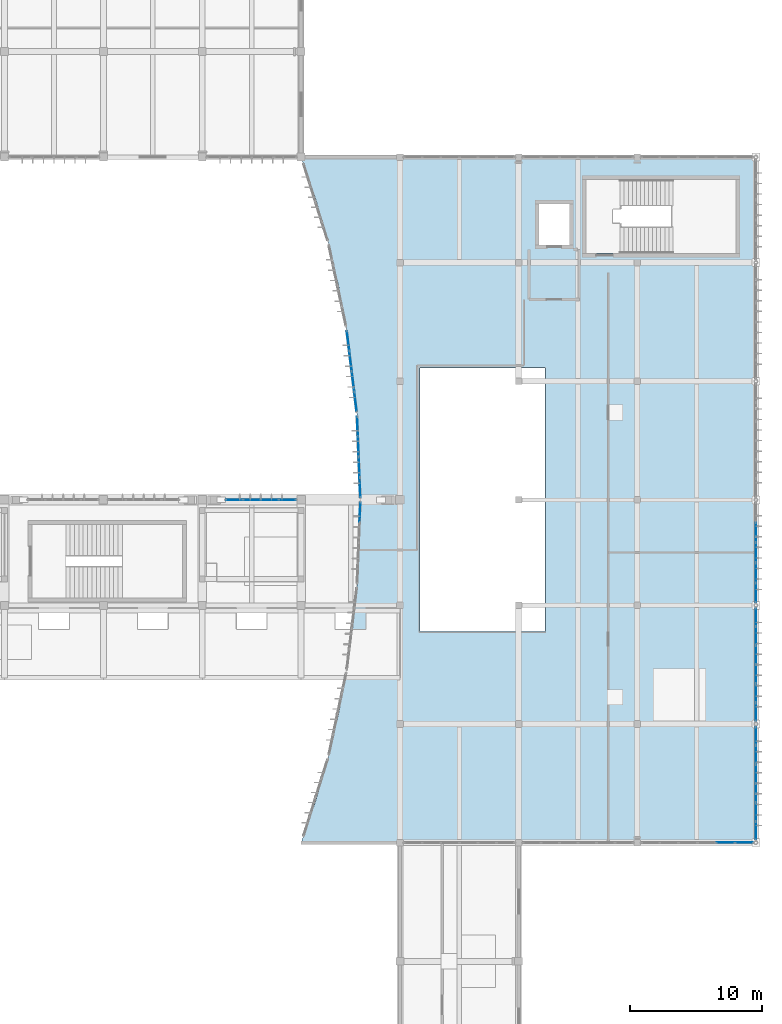
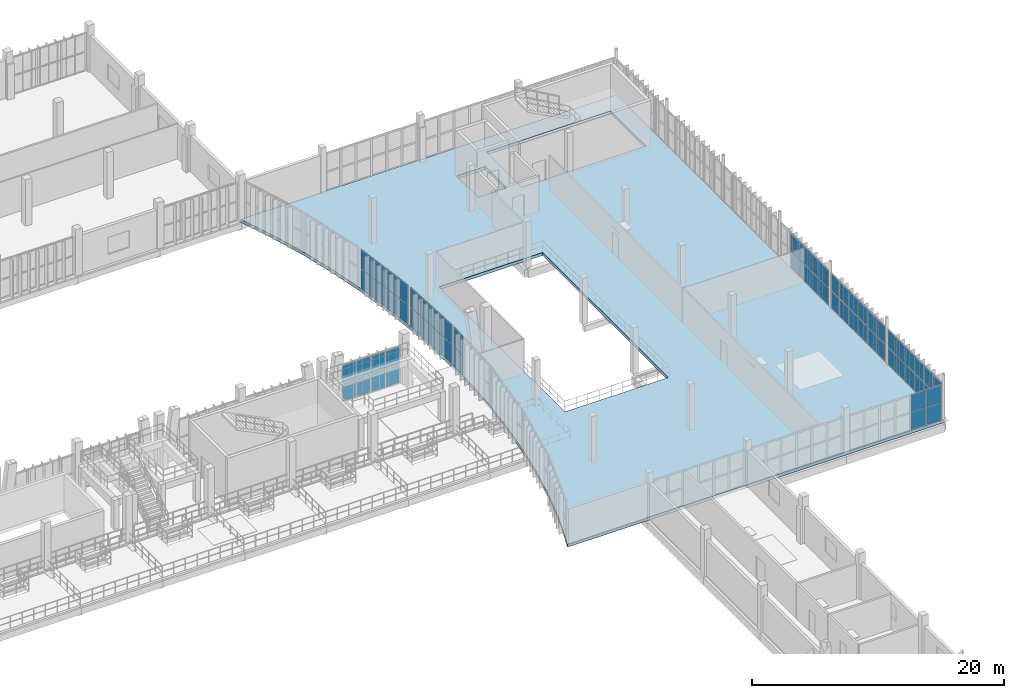
# One storey, part 46 of 81: 62 plates, 1 slab, 8 elements without a shape of their own.
"""IFC4 building model written with IfcOpenShell, lengths in metres."""

from ifc_helpers import new_model, si_unit, direction, frame, origin, origin_2d, place, context, subcontext, project, spatial, polyline, rectangle, outline, extrude, material, layer, layer_set, type_object, element, aggregate, save


model = new_model("IFC4")

# Units and contexts
model_context = context("Model", 3, precision=1e-05, world=origin(), true_north=direction((0.0, 1.0)))
body_context = subcontext(model_context, "Body", "Model", "MODEL_VIEW")
ifc_project = project(units=[si_unit("LENGTHUNIT", "METRE"), si_unit("AREAUNIT", "SQUARE_METRE"), si_unit("VOLUMEUNIT", "CUBIC_METRE"), si_unit("PLANEANGLEUNIT", "RADIAN"), si_unit("MASSUNIT", "GRAM", prefix="KILO")], contexts=[model_context])

# Site, building, storey
site_placement = place(None, origin())
site = spatial("IfcSite", under=ifc_project, at=site_placement, CompositionType="ELEMENT")
building_placement = place(site_placement, origin())
building = spatial("IfcBuilding", under=site, at=building_placement, Name="Vourika Railside Aquatics Centre", CompositionType="ELEMENT")
storey_placement = place(building_placement, frame((0.0, 0.0, 4.800048828125)))
storey = spatial("IfcBuildingStorey", under=building, at=storey_placement, Name="L01", CompositionType="ELEMENT", Elevation=4.800048828125)

# Curtain wall, plates
ifc_material_1 = material(Name="Anodized thermally broken aluminium", Category="aluminium")
curtain_wall_type_1 = type_object("IfcCurtainWallType", Name="CW-CRT1", PredefinedType="NOTDEFINED", material=ifc_material_1)
curtain_wall_1_placement = place(storey_placement, origin())
curtain_wall_1 = element("IfcCurtainWall", 1, at=curtain_wall_1_placement, inside=storey, type_object=curtain_wall_type_1, Name="Spectator Concourse Courtyard Curtain Wall 13", PredefinedType="NOTDEFINED")
ifc_material_2 = material(Name="Low-E solar-control laminated double glazing", Category="glass")
ifc_layer_1 = layer(ifc_material_2, 0.02392578125, Name="CWP-CRT1")
ifc_layer_set_1 = layer_set([ifc_layer_1], Name="Low-E solar-control laminated double glazing")
plate_type_1 = type_object("IfcPlateType", Name="CWP-CRT1", PredefinedType="CURTAIN_PANEL", material=ifc_layer_set_1)
plate_1_placement = place(storey_placement, frame((132.44970703125, 66.0, 0.06591796875), z_axis=(0.0, 0.0, 1.0), x_axis=(-1.0, 0.0, 0.0)))
plate_1 = element("IfcPlate", 2, at=plate_1_placement, type_object=plate_type_1, Name="CW13 panel 1.1", PredefinedType="CURTAIN_PANEL", context=body_context, shape_type="SweptSolid", body=[
    extrude(rectangle(XDim=1.24853515625, YDim=0.02392578125, at=origin_2d()), origin(), (0.0, 0.0, 1.0), 1.700927734375),
])
plate_2_placement = place(storey_placement, frame((132.44970703125, 66.0, 1.8330078125), z_axis=(0.0, 0.0, 1.0), x_axis=(-1.0, 0.0, 0.0)))
plate_2 = element("IfcPlate", 3, at=plate_2_placement, type_object=plate_type_1, Name="CW13 panel 1.2", PredefinedType="CURTAIN_PANEL", context=body_context, shape_type="SweptSolid", body=[
    extrude(rectangle(XDim=1.24853515625, YDim=0.02392578125, at=origin_2d()), origin(), (0.0, 0.0, 1.0), 1.700927734375),
])
plate_3_placement = place(storey_placement, frame((131.11865234375, 66.0, 0.06591796875), z_axis=(0.0, 0.0, 1.0), x_axis=(-1.0, 0.0, 0.0)))
plate_3 = element("IfcPlate", 4, at=plate_3_placement, type_object=plate_type_1, Name="CW13 panel 2.1", PredefinedType="CURTAIN_PANEL", context=body_context, shape_type="SweptSolid", body=[
    extrude(rectangle(XDim=1.281494140625, YDim=0.02392578125, at=origin_2d()), origin(), (0.0, 0.0, 1.0), 1.700927734375),
])
plate_4_placement = place(storey_placement, frame((131.11865234375, 66.0, 1.8330078125), z_axis=(0.0, 0.0, 1.0), x_axis=(-1.0, 0.0, 0.0)))
plate_4 = element("IfcPlate", 5, at=plate_4_placement, type_object=plate_type_1, Name="CW13 panel 2.2", PredefinedType="CURTAIN_PANEL", context=body_context, shape_type="SweptSolid", body=[
    extrude(rectangle(XDim=1.281494140625, YDim=0.02392578125, at=origin_2d()), origin(), (0.0, 0.0, 1.0), 1.700927734375),
])
plate_5_placement = place(storey_placement, frame((129.771240234375, 66.0, 0.06591796875), z_axis=(0.0, 0.0, 1.0), x_axis=(-1.0, 0.0, 0.0)))
plate_5 = element("IfcPlate", 6, at=plate_5_placement, type_object=plate_type_1, Name="CW13 panel 3.1", PredefinedType="CURTAIN_PANEL", context=body_context, shape_type="SweptSolid", body=[
    extrude(rectangle(XDim=1.281494140625, YDim=0.02392578125, at=origin_2d()), origin(), (0.0, 0.0, 1.0), 1.700927734375),
])
plate_6_placement = place(storey_placement, frame((129.771240234375, 66.0, 1.8330078125), z_axis=(0.0, 0.0, 1.0), x_axis=(-1.0, 0.0, 0.0)))
plate_6 = element("IfcPlate", 7, at=plate_6_placement, type_object=plate_type_1, Name="CW13 panel 3.2", PredefinedType="CURTAIN_PANEL", context=body_context, shape_type="SweptSolid", body=[
    extrude(rectangle(XDim=1.281494140625, YDim=0.02392578125, at=origin_2d()), origin(), (0.0, 0.0, 1.0), 1.700927734375),
])
plate_7_placement = place(storey_placement, frame((128.440185546875, 66.0, 0.06591796875), z_axis=(0.0, 0.0, 1.0), x_axis=(-1.0, 0.0, 0.0)))
plate_7 = element("IfcPlate", 8, at=plate_7_placement, type_object=plate_type_1, Name="CW13 panel 4.1", PredefinedType="CURTAIN_PANEL", context=body_context, shape_type="SweptSolid", body=[
    extrude(rectangle(XDim=1.24853515625, YDim=0.02392578125, at=origin_2d()), origin(), (0.0, 0.0, 1.0), 1.700927734375),
])
plate_8_placement = place(storey_placement, frame((128.440185546875, 66.0, 1.8330078125), z_axis=(0.0, 0.0, 1.0), x_axis=(-1.0, 0.0, 0.0)))
plate_8 = element("IfcPlate", 9, at=plate_8_placement, type_object=plate_type_1, Name="CW13 panel 4.2", PredefinedType="CURTAIN_PANEL", context=body_context, shape_type="SweptSolid", body=[
    extrude(rectangle(XDim=1.24853515625, YDim=0.02392578125, at=origin_2d()), origin(), (0.0, 0.0, 1.0), 1.700927734375),
])
aggregate(curtain_wall_1, [plate_1, plate_2, plate_3, plate_4, plate_5, plate_6, plate_7, plate_8])

curtain_wall_type_2 = type_object("IfcCurtainWallType", Name="CW-FOYC1", PredefinedType="NOTDEFINED", material=ifc_material_1)
curtain_wall_2_placement = place(storey_placement, origin())
curtain_wall_2 = element("IfcCurtainWall", 10, at=curtain_wall_2_placement, inside=storey, type_object=curtain_wall_type_2, Name="Curved Courtyard Foyer Curtain Wall L01-4", PredefinedType="NOTDEFINED")
ifc_layer_2 = layer(ifc_material_2, 0.031982421875, Name="CWP-FOYC1")
ifc_layer_set_2 = layer_set([ifc_layer_2], Name="Low-E solar-control laminated double glazing")
plate_type_2 = type_object("IfcPlateType", Name="CWP-FOYC1", PredefinedType="CURTAIN_PANEL", material=ifc_layer_set_2)
plate_9_placement = place(storey_placement, frame((137.96826171875, 65.06494140625, 0.070068359375), z_axis=(0.0, 0.0, 1.0), x_axis=(-0.040000115606, -0.999199675116, 0.0)))
plate_9 = element("IfcPlate", 11, at=plate_9_placement, type_object=plate_type_2, Name="CW08 panel 1.1", PredefinedType="CURTAIN_PANEL", context=body_context, shape_type="SweptSolid", body=[
    extrude(rectangle(XDim=1.451171875, YDim=0.031982421875, at=origin_2d()), origin(), (0.0, 0.0, 1.0), 1.85498046875),
])
plate_10_placement = place(storey_placement, frame((137.96826171875, 65.06494140625, 1.994873046875), z_axis=(0.0, 0.0, 1.0), x_axis=(-0.040000115606, -0.999199675116, 0.0)))
plate_10 = element("IfcPlate", 12, at=plate_10_placement, type_object=plate_type_2, Name="CW08 panel 1.2", PredefinedType="CURTAIN_PANEL", context=body_context, shape_type="SweptSolid", body=[
    extrude(rectangle(XDim=1.451171875, YDim=0.031982421875, at=origin_2d()), origin(), (0.0, 0.0, 1.0), 1.85498046875),
])
aggregate(curtain_wall_2, [plate_9, plate_10])

curtain_wall_3_placement = place(storey_placement, origin())
curtain_wall_3 = element("IfcCurtainWall", 13, at=curtain_wall_3_placement, inside=storey, type_object=curtain_wall_type_2, Name="Curved Courtyard Foyer Curtain Wall L01-5", PredefinedType="NOTDEFINED")
plate_11_placement = place(storey_placement, frame((137.78271484375, 71.56494140625, 0.070068359375), z_axis=(0.0, 0.0, 1.0), x_axis=(0.040000115606, -0.999199675116, 0.0)))
plate_11 = element("IfcPlate", 14, at=plate_11_placement, type_object=plate_type_2, Name="CW08 panel 1.1", PredefinedType="CURTAIN_PANEL", context=body_context, shape_type="SweptSolid", body=[
    extrude(rectangle(XDim=1.451171875, YDim=0.031982421875, at=origin_2d()), origin(), (0.0, 0.0, 1.0), 1.85498046875),
])
plate_12_placement = place(storey_placement, frame((137.78271484375, 71.56494140625, 1.994873046875), z_axis=(0.0, 0.0, 1.0), x_axis=(0.040000115606, -0.999199675116, 0.0)))
plate_12 = element("IfcPlate", 15, at=plate_12_placement, type_object=plate_type_2, Name="CW08 panel 1.2", PredefinedType="CURTAIN_PANEL", context=body_context, shape_type="SweptSolid", body=[
    extrude(rectangle(XDim=1.451171875, YDim=0.031982421875, at=origin_2d()), origin(), (0.0, 0.0, 1.0), 1.85498046875),
])
plate_13_placement = place(storey_placement, frame((137.844482421875, 70.027587890625, 0.070068359375), z_axis=(0.0, 0.0, 1.0), x_axis=(0.040000115606, -0.999199675116, 0.0)))
plate_13 = element("IfcPlate", 16, at=plate_13_placement, type_object=plate_type_2, Name="CW08 panel 2.1", PredefinedType="CURTAIN_PANEL", context=body_context, shape_type="SweptSolid", body=[
    extrude(rectangle(XDim=1.486328125, YDim=0.031982421875, at=origin_2d()), origin(), (0.0, 0.0, 1.0), 1.85498046875),
])
plate_14_placement = place(storey_placement, frame((137.844482421875, 70.027587890625, 1.994873046875), z_axis=(0.0, 0.0, 1.0), x_axis=(0.040000115606, -0.999199675116, 0.0)))
plate_14 = element("IfcPlate", 17, at=plate_14_placement, type_object=plate_type_2, Name="CW08 panel 2.2", PredefinedType="CURTAIN_PANEL", context=body_context, shape_type="SweptSolid", body=[
    extrude(rectangle(XDim=1.486328125, YDim=0.031982421875, at=origin_2d()), origin(), (0.0, 0.0, 1.0), 1.85498046875),
])
plate_15_placement = place(storey_placement, frame((137.90673828125, 68.472412109375, 0.070068359375), z_axis=(0.0, 0.0, 1.0), x_axis=(0.040000115606, -0.999199675116, 0.0)))
plate_15 = element("IfcPlate", 18, at=plate_15_placement, type_object=plate_type_2, Name="CW08 panel 3.1", PredefinedType="CURTAIN_PANEL", context=body_context, shape_type="SweptSolid", body=[
    extrude(rectangle(XDim=1.486328125, YDim=0.031982421875, at=origin_2d()), origin(), (0.0, 0.0, 1.0), 1.85498046875),
])
plate_16_placement = place(storey_placement, frame((137.90673828125, 68.472412109375, 1.994873046875), z_axis=(0.0, 0.0, 1.0), x_axis=(0.040000115606, -0.999199675116, 0.0)))
plate_16 = element("IfcPlate", 19, at=plate_16_placement, type_object=plate_type_2, Name="CW08 panel 3.2", PredefinedType="CURTAIN_PANEL", context=body_context, shape_type="SweptSolid", body=[
    extrude(rectangle(XDim=1.486328125, YDim=0.031982421875, at=origin_2d()), origin(), (0.0, 0.0, 1.0), 1.85498046875),
])
plate_17_placement = place(storey_placement, frame((137.96826171875, 66.93505859375, 0.070068359375), z_axis=(0.0, 0.0, 1.0), x_axis=(0.040000115606, -0.999199675116, 0.0)))
plate_17 = element("IfcPlate", 20, at=plate_17_placement, type_object=plate_type_2, Name="CW08 panel 4.1", PredefinedType="CURTAIN_PANEL", context=body_context, shape_type="SweptSolid", body=[
    extrude(rectangle(XDim=1.451171875, YDim=0.031982421875, at=origin_2d()), origin(), (0.0, 0.0, 1.0), 1.85498046875),
])
plate_18_placement = place(storey_placement, frame((137.96826171875, 66.93505859375, 1.994873046875), z_axis=(0.0, 0.0, 1.0), x_axis=(0.040000115606, -0.999199675116, 0.0)))
plate_18 = element("IfcPlate", 21, at=plate_18_placement, type_object=plate_type_2, Name="CW08 panel 4.2", PredefinedType="CURTAIN_PANEL", context=body_context, shape_type="SweptSolid", body=[
    extrude(rectangle(XDim=1.451171875, YDim=0.031982421875, at=origin_2d()), origin(), (0.0, 0.0, 1.0), 1.85498046875),
])
aggregate(curtain_wall_3, [plate_11, plate_12, plate_13, plate_14, plate_15, plate_16, plate_17, plate_18])

curtain_wall_4_placement = place(storey_placement, origin())
curtain_wall_4 = element("IfcCurtainWall", 22, at=curtain_wall_4_placement, inside=storey, type_object=curtain_wall_type_2, Name="Curved Courtyard Foyer Curtain Wall L01-6", PredefinedType="NOTDEFINED")
plate_19_placement = place(storey_placement, frame((137.065185546875, 78.065185546875, 0.070068359375), z_axis=(0.0, 0.0, 1.0), x_axis=(0.121441721361, -0.992598563525, 0.0)))
plate_19 = element("IfcPlate", 23, at=plate_19_placement, type_object=plate_type_2, Name="CW08 panel 1.1", PredefinedType="CURTAIN_PANEL", context=body_context, shape_type="SweptSolid", body=[
    extrude(rectangle(XDim=1.461669921875, YDim=0.031982421875, at=origin_2d()), origin(), (0.0, 0.0, 1.0), 1.85498046875),
])
plate_20_placement = place(storey_placement, frame((137.065185546875, 78.065185546875, 1.994873046875), z_axis=(0.0, 0.0, 1.0), x_axis=(0.121441721361, -0.992598563525, 0.0)))
plate_20 = element("IfcPlate", 24, at=plate_20_placement, type_object=plate_type_2, Name="CW08 panel 1.2", PredefinedType="CURTAIN_PANEL", context=body_context, shape_type="SweptSolid", body=[
    extrude(rectangle(XDim=1.461669921875, YDim=0.031982421875, at=origin_2d()), origin(), (0.0, 0.0, 1.0), 1.85498046875),
])
plate_21_placement = place(storey_placement, frame((137.25341796875, 76.527587890625, 0.070068359375), z_axis=(0.0, 0.0, 1.0), x_axis=(0.121441721361, -0.992598563525, 0.0)))
plate_21 = element("IfcPlate", 25, at=plate_21_placement, type_object=plate_type_2, Name="CW08 panel 2.1", PredefinedType="CURTAIN_PANEL", context=body_context, shape_type="SweptSolid", body=[
    extrude(rectangle(XDim=1.49658203125, YDim=0.031982421875, at=origin_2d()), origin(), (0.0, 0.0, 1.0), 1.85498046875),
])
plate_22_placement = place(storey_placement, frame((137.25341796875, 76.527587890625, 1.994873046875), z_axis=(0.0, 0.0, 1.0), x_axis=(0.121441721361, -0.992598563525, 0.0)))
plate_22 = element("IfcPlate", 26, at=plate_22_placement, type_object=plate_type_2, Name="CW08 panel 2.2", PredefinedType="CURTAIN_PANEL", context=body_context, shape_type="SweptSolid", body=[
    extrude(rectangle(XDim=1.49658203125, YDim=0.031982421875, at=origin_2d()), origin(), (0.0, 0.0, 1.0), 1.85498046875),
])
plate_23_placement = place(storey_placement, frame((137.443603515625, 74.972412109375, 0.070068359375), z_axis=(0.0, 0.0, 1.0), x_axis=(0.121441721361, -0.992598563525, 0.0)))
plate_23 = element("IfcPlate", 27, at=plate_23_placement, type_object=plate_type_2, Name="CW08 panel 3.1", PredefinedType="CURTAIN_PANEL", context=body_context, shape_type="SweptSolid", body=[
    extrude(rectangle(XDim=1.49658203125, YDim=0.031982421875, at=origin_2d()), origin(), (0.0, 0.0, 1.0), 1.85498046875),
])
plate_24_placement = place(storey_placement, frame((137.443603515625, 74.972412109375, 1.994873046875), z_axis=(0.0, 0.0, 1.0), x_axis=(0.121441721361, -0.992598563525, 0.0)))
plate_24 = element("IfcPlate", 28, at=plate_24_placement, type_object=plate_type_2, Name="CW08 panel 3.2", PredefinedType="CURTAIN_PANEL", context=body_context, shape_type="SweptSolid", body=[
    extrude(rectangle(XDim=1.49658203125, YDim=0.031982421875, at=origin_2d()), origin(), (0.0, 0.0, 1.0), 1.85498046875),
])
plate_25_placement = place(storey_placement, frame((137.6318359375, 73.434814453125, 0.070068359375), z_axis=(0.0, 0.0, 1.0), x_axis=(0.121441721361, -0.992598563525, 0.0)))
plate_25 = element("IfcPlate", 29, at=plate_25_placement, type_object=plate_type_2, Name="CW08 panel 4.1", PredefinedType="CURTAIN_PANEL", context=body_context, shape_type="SweptSolid", body=[
    extrude(rectangle(XDim=1.461669921875, YDim=0.031982421875, at=origin_2d()), origin(), (0.0, 0.0, 1.0), 1.85498046875),
])
plate_26_placement = place(storey_placement, frame((137.6318359375, 73.434814453125, 1.994873046875), z_axis=(0.0, 0.0, 1.0), x_axis=(0.121441721361, -0.992598563525, 0.0)))
plate_26 = element("IfcPlate", 30, at=plate_26_placement, type_object=plate_type_2, Name="CW08 panel 4.2", PredefinedType="CURTAIN_PANEL", context=body_context, shape_type="SweptSolid", body=[
    extrude(rectangle(XDim=1.461669921875, YDim=0.031982421875, at=origin_2d()), origin(), (0.0, 0.0, 1.0), 1.85498046875),
])
aggregate(curtain_wall_4, [plate_19, plate_20, plate_21, plate_22, plate_23, plate_24, plate_25, plate_26])

curtain_wall_type_3 = type_object("IfcCurtainWallType", Name="CW-FOYE", PredefinedType="NOTDEFINED", material=ifc_material_1)
curtain_wall_5_placement = place(storey_placement, origin())
curtain_wall_5 = element("IfcCurtainWall", 31, at=curtain_wall_5_placement, inside=storey, type_object=curtain_wall_type_3, Name="East Arrival Facade Curtain Wall L01-1", PredefinedType="NOTDEFINED")
ifc_layer_3 = layer(ifc_material_2, 0.031982421875, Name="CWP-FOYE")
ifc_layer_set_3 = layer_set([ifc_layer_3], Name="Low-E solar-control laminated double glazing")
plate_type_3 = type_object("IfcPlateType", Name="CWP-FOYE", PredefinedType="CURTAIN_PANEL", material=ifc_layer_set_3)
plate_27_placement = place(storey_placement, frame((168.0, 40.907470703125, 0.0751953125), z_axis=(0.0, 0.0, 1.0), x_axis=(0.0, 1.0, 0.0)))
plate_27 = element("IfcPlate", 32, at=plate_27_placement, type_object=plate_type_3, Name="CW10 panel 1.1", PredefinedType="CURTAIN_PANEL", context=body_context, shape_type="SweptSolid", body=[
    extrude(rectangle(XDim=1.33203125, YDim=0.031982421875, at=origin_2d()), origin(), (0.0, 0.0, 1.0), 1.637451171875),
])
plate_28_placement = place(storey_placement, frame((168.0, 40.907470703125, 1.78759765625), z_axis=(0.0, 0.0, 1.0), x_axis=(0.0, 1.0, 0.0)))
plate_28 = element("IfcPlate", 33, at=plate_28_placement, type_object=plate_type_3, Name="CW10 panel 1.2", PredefinedType="CURTAIN_PANEL", context=body_context, shape_type="SweptSolid", body=[
    extrude(rectangle(XDim=1.33203125, YDim=0.031982421875, at=origin_2d()), origin(), (0.0, 0.0, 1.0), 1.637451171875),
])
plate_29_placement = place(storey_placement, frame((168.0, 42.333251953125, 0.0751953125), z_axis=(0.0, 0.0, 1.0), x_axis=(0.0, 1.0, 0.0)))
plate_29 = element("IfcPlate", 34, at=plate_29_placement, type_object=plate_type_3, Name="CW10 panel 2.1", PredefinedType="CURTAIN_PANEL", context=body_context, shape_type="SweptSolid", body=[
    extrude(rectangle(XDim=1.369384765625, YDim=0.031982421875, at=origin_2d()), origin(), (0.0, 0.0, 1.0), 1.637451171875),
])
plate_30_placement = place(storey_placement, frame((168.0, 42.333251953125, 1.78759765625), z_axis=(0.0, 0.0, 1.0), x_axis=(0.0, 1.0, 0.0)))
plate_30 = element("IfcPlate", 35, at=plate_30_placement, type_object=plate_type_3, Name="CW10 panel 2.2", PredefinedType="CURTAIN_PANEL", context=body_context, shape_type="SweptSolid", body=[
    extrude(rectangle(XDim=1.369384765625, YDim=0.031982421875, at=origin_2d()), origin(), (0.0, 0.0, 1.0), 1.637451171875),
])
plate_31_placement = place(storey_placement, frame((168.0, 43.77783203125, 0.0751953125), z_axis=(0.0, 0.0, 1.0), x_axis=(0.0, 1.0, 0.0)))
plate_31 = element("IfcPlate", 36, at=plate_31_placement, type_object=plate_type_3, Name="CW10 panel 3.1", PredefinedType="CURTAIN_PANEL", context=body_context, shape_type="SweptSolid", body=[
    extrude(rectangle(XDim=1.369384765625, YDim=0.031982421875, at=origin_2d()), origin(), (0.0, 0.0, 1.0), 1.637451171875),
])
plate_32_placement = place(storey_placement, frame((168.0, 43.77783203125, 1.78759765625), z_axis=(0.0, 0.0, 1.0), x_axis=(0.0, 1.0, 0.0)))
plate_32 = element("IfcPlate", 37, at=plate_32_placement, type_object=plate_type_3, Name="CW10 panel 3.2", PredefinedType="CURTAIN_PANEL", context=body_context, shape_type="SweptSolid", body=[
    extrude(rectangle(XDim=1.369384765625, YDim=0.031982421875, at=origin_2d()), origin(), (0.0, 0.0, 1.0), 1.637451171875),
])
plate_33_placement = place(storey_placement, frame((168.0, 45.22216796875, 0.0751953125), z_axis=(0.0, 0.0, 1.0), x_axis=(0.0, 1.0, 0.0)))
plate_33 = element("IfcPlate", 38, at=plate_33_placement, type_object=plate_type_3, Name="CW10 panel 4.1", PredefinedType="CURTAIN_PANEL", context=body_context, shape_type="SweptSolid", body=[
    extrude(rectangle(XDim=1.369384765625, YDim=0.031982421875, at=origin_2d()), origin(), (0.0, 0.0, 1.0), 1.637451171875),
])
plate_34_placement = place(storey_placement, frame((168.0, 45.22216796875, 1.78759765625), z_axis=(0.0, 0.0, 1.0), x_axis=(0.0, 1.0, 0.0)))
plate_34 = element("IfcPlate", 39, at=plate_34_placement, type_object=plate_type_3, Name="CW10 panel 4.2", PredefinedType="CURTAIN_PANEL", context=body_context, shape_type="SweptSolid", body=[
    extrude(rectangle(XDim=1.369384765625, YDim=0.031982421875, at=origin_2d()), origin(), (0.0, 0.0, 1.0), 1.637451171875),
])
plate_35_placement = place(storey_placement, frame((168.0, 46.666748046875, 0.0751953125), z_axis=(0.0, 0.0, 1.0), x_axis=(0.0, 1.0, 0.0)))
plate_35 = element("IfcPlate", 40, at=plate_35_placement, type_object=plate_type_3, Name="CW10 panel 5.1", PredefinedType="CURTAIN_PANEL", context=body_context, shape_type="SweptSolid", body=[
    extrude(rectangle(XDim=1.369384765625, YDim=0.031982421875, at=origin_2d()), origin(), (0.0, 0.0, 1.0), 1.637451171875),
])
plate_36_placement = place(storey_placement, frame((168.0, 46.666748046875, 1.78759765625), z_axis=(0.0, 0.0, 1.0), x_axis=(0.0, 1.0, 0.0)))
plate_36 = element("IfcPlate", 41, at=plate_36_placement, type_object=plate_type_3, Name="CW10 panel 5.2", PredefinedType="CURTAIN_PANEL", context=body_context, shape_type="SweptSolid", body=[
    extrude(rectangle(XDim=1.369384765625, YDim=0.031982421875, at=origin_2d()), origin(), (0.0, 0.0, 1.0), 1.637451171875),
])
plate_37_placement = place(storey_placement, frame((168.0, 48.092529296875, 0.0751953125), z_axis=(0.0, 0.0, 1.0), x_axis=(0.0, 1.0, 0.0)))
plate_37 = element("IfcPlate", 42, at=plate_37_placement, type_object=plate_type_3, Name="CW10 panel 6.1", PredefinedType="CURTAIN_PANEL", context=body_context, shape_type="SweptSolid", body=[
    extrude(rectangle(XDim=1.33203125, YDim=0.031982421875, at=origin_2d()), origin(), (0.0, 0.0, 1.0), 1.637451171875),
])
plate_38_placement = place(storey_placement, frame((168.0, 48.092529296875, 1.78759765625), z_axis=(0.0, 0.0, 1.0), x_axis=(0.0, 1.0, 0.0)))
plate_38 = element("IfcPlate", 43, at=plate_38_placement, type_object=plate_type_3, Name="CW10 panel 6.2", PredefinedType="CURTAIN_PANEL", context=body_context, shape_type="SweptSolid", body=[
    extrude(rectangle(XDim=1.33203125, YDim=0.031982421875, at=origin_2d()), origin(), (0.0, 0.0, 1.0), 1.637451171875),
])
aggregate(curtain_wall_5, [plate_27, plate_28, plate_29, plate_30, plate_31, plate_32, plate_33, plate_34, plate_35, plate_36, plate_37, plate_38])

curtain_wall_6_placement = place(storey_placement, origin())
curtain_wall_6 = element("IfcCurtainWall", 44, at=curtain_wall_6_placement, inside=storey, type_object=curtain_wall_type_3, Name="East Arrival Facade Curtain Wall L01-2", PredefinedType="NOTDEFINED")
plate_39_placement = place(storey_placement, frame((168.0, 49.907470703125, 0.0751953125), z_axis=(0.0, 0.0, 1.0), x_axis=(0.0, 1.0, 0.0)))
plate_39 = element("IfcPlate", 45, at=plate_39_placement, type_object=plate_type_3, Name="CW10 panel 1.1", PredefinedType="CURTAIN_PANEL", context=body_context, shape_type="SweptSolid", body=[
    extrude(rectangle(XDim=1.33203125, YDim=0.031982421875, at=origin_2d()), origin(), (0.0, 0.0, 1.0), 1.637451171875),
])
plate_40_placement = place(storey_placement, frame((168.0, 49.907470703125, 1.78759765625), z_axis=(0.0, 0.0, 1.0), x_axis=(0.0, 1.0, 0.0)))
plate_40 = element("IfcPlate", 46, at=plate_40_placement, type_object=plate_type_3, Name="CW10 panel 1.2", PredefinedType="CURTAIN_PANEL", context=body_context, shape_type="SweptSolid", body=[
    extrude(rectangle(XDim=1.33203125, YDim=0.031982421875, at=origin_2d()), origin(), (0.0, 0.0, 1.0), 1.637451171875),
])
plate_41_placement = place(storey_placement, frame((168.0, 51.333251953125, 0.0751953125), z_axis=(0.0, 0.0, 1.0), x_axis=(0.0, 1.0, 0.0)))
plate_41 = element("IfcPlate", 47, at=plate_41_placement, type_object=plate_type_3, Name="CW10 panel 2.1", PredefinedType="CURTAIN_PANEL", context=body_context, shape_type="SweptSolid", body=[
    extrude(rectangle(XDim=1.369384765625, YDim=0.031982421875, at=origin_2d()), origin(), (0.0, 0.0, 1.0), 1.637451171875),
])
plate_42_placement = place(storey_placement, frame((168.0, 51.333251953125, 1.78759765625), z_axis=(0.0, 0.0, 1.0), x_axis=(0.0, 1.0, 0.0)))
plate_42 = element("IfcPlate", 48, at=plate_42_placement, type_object=plate_type_3, Name="CW10 panel 2.2", PredefinedType="CURTAIN_PANEL", context=body_context, shape_type="SweptSolid", body=[
    extrude(rectangle(XDim=1.369384765625, YDim=0.031982421875, at=origin_2d()), origin(), (0.0, 0.0, 1.0), 1.637451171875),
])
plate_43_placement = place(storey_placement, frame((168.0, 52.77783203125, 0.0751953125), z_axis=(0.0, 0.0, 1.0), x_axis=(0.0, 1.0, 0.0)))
plate_43 = element("IfcPlate", 49, at=plate_43_placement, type_object=plate_type_3, Name="CW10 panel 3.1", PredefinedType="CURTAIN_PANEL", context=body_context, shape_type="SweptSolid", body=[
    extrude(rectangle(XDim=1.369384765625, YDim=0.031982421875, at=origin_2d()), origin(), (0.0, 0.0, 1.0), 1.637451171875),
])
plate_44_placement = place(storey_placement, frame((168.0, 52.77783203125, 1.78759765625), z_axis=(0.0, 0.0, 1.0), x_axis=(0.0, 1.0, 0.0)))
plate_44 = element("IfcPlate", 50, at=plate_44_placement, type_object=plate_type_3, Name="CW10 panel 3.2", PredefinedType="CURTAIN_PANEL", context=body_context, shape_type="SweptSolid", body=[
    extrude(rectangle(XDim=1.369384765625, YDim=0.031982421875, at=origin_2d()), origin(), (0.0, 0.0, 1.0), 1.637451171875),
])
plate_45_placement = place(storey_placement, frame((168.0, 54.22216796875, 0.0751953125), z_axis=(0.0, 0.0, 1.0), x_axis=(0.0, 1.0, 0.0)))
plate_45 = element("IfcPlate", 51, at=plate_45_placement, type_object=plate_type_3, Name="CW10 panel 4.1", PredefinedType="CURTAIN_PANEL", context=body_context, shape_type="SweptSolid", body=[
    extrude(rectangle(XDim=1.369384765625, YDim=0.031982421875, at=origin_2d()), origin(), (0.0, 0.0, 1.0), 1.637451171875),
])
plate_46_placement = place(storey_placement, frame((168.0, 54.22216796875, 1.78759765625), z_axis=(0.0, 0.0, 1.0), x_axis=(0.0, 1.0, 0.0)))
plate_46 = element("IfcPlate", 52, at=plate_46_placement, type_object=plate_type_3, Name="CW10 panel 4.2", PredefinedType="CURTAIN_PANEL", context=body_context, shape_type="SweptSolid", body=[
    extrude(rectangle(XDim=1.369384765625, YDim=0.031982421875, at=origin_2d()), origin(), (0.0, 0.0, 1.0), 1.637451171875),
])
plate_47_placement = place(storey_placement, frame((168.0, 55.666748046875, 0.0751953125), z_axis=(0.0, 0.0, 1.0), x_axis=(0.0, 1.0, 0.0)))
plate_47 = element("IfcPlate", 53, at=plate_47_placement, type_object=plate_type_3, Name="CW10 panel 5.1", PredefinedType="CURTAIN_PANEL", context=body_context, shape_type="SweptSolid", body=[
    extrude(rectangle(XDim=1.369384765625, YDim=0.031982421875, at=origin_2d()), origin(), (0.0, 0.0, 1.0), 1.637451171875),
])
plate_48_placement = place(storey_placement, frame((168.0, 55.666748046875, 1.78759765625), z_axis=(0.0, 0.0, 1.0), x_axis=(0.0, 1.0, 0.0)))
plate_48 = element("IfcPlate", 54, at=plate_48_placement, type_object=plate_type_3, Name="CW10 panel 5.2", PredefinedType="CURTAIN_PANEL", context=body_context, shape_type="SweptSolid", body=[
    extrude(rectangle(XDim=1.369384765625, YDim=0.031982421875, at=origin_2d()), origin(), (0.0, 0.0, 1.0), 1.637451171875),
])
plate_49_placement = place(storey_placement, frame((168.0, 57.092529296875, 0.0751953125), z_axis=(0.0, 0.0, 1.0), x_axis=(0.0, 1.0, 0.0)))
plate_49 = element("IfcPlate", 55, at=plate_49_placement, type_object=plate_type_3, Name="CW10 panel 6.1", PredefinedType="CURTAIN_PANEL", context=body_context, shape_type="SweptSolid", body=[
    extrude(rectangle(XDim=1.33203125, YDim=0.031982421875, at=origin_2d()), origin(), (0.0, 0.0, 1.0), 1.637451171875),
])
plate_50_placement = place(storey_placement, frame((168.0, 57.092529296875, 1.78759765625), z_axis=(0.0, 0.0, 1.0), x_axis=(0.0, 1.0, 0.0)))
plate_50 = element("IfcPlate", 56, at=plate_50_placement, type_object=plate_type_3, Name="CW10 panel 6.2", PredefinedType="CURTAIN_PANEL", context=body_context, shape_type="SweptSolid", body=[
    extrude(rectangle(XDim=1.33203125, YDim=0.031982421875, at=origin_2d()), origin(), (0.0, 0.0, 1.0), 1.637451171875),
])
aggregate(curtain_wall_6, [plate_39, plate_40, plate_41, plate_42, plate_43, plate_44, plate_45, plate_46, plate_47, plate_48, plate_49, plate_50])

curtain_wall_7_placement = place(storey_placement, origin())
curtain_wall_7 = element("IfcCurtainWall", 57, at=curtain_wall_7_placement, inside=storey, type_object=curtain_wall_type_3, Name="East Arrival Facade Curtain Wall L01-3", PredefinedType="NOTDEFINED")
plate_51_placement = place(storey_placement, frame((168.0, 58.951904296875, 0.0751953125), z_axis=(0.0, 0.0, 1.0), x_axis=(0.0, 1.0, 0.0)))
plate_51 = element("IfcPlate", 58, at=plate_51_placement, type_object=plate_type_3, Name="CW10 panel 1.1", PredefinedType="CURTAIN_PANEL", context=body_context, shape_type="SweptSolid", body=[
    extrude(rectangle(XDim=1.4208984375, YDim=0.031982421875, at=origin_2d()), origin(), (0.0, 0.0, 1.0), 1.637451171875),
])
plate_52_placement = place(storey_placement, frame((168.0, 58.951904296875, 1.78759765625), z_axis=(0.0, 0.0, 1.0), x_axis=(0.0, 1.0, 0.0)))
plate_52 = element("IfcPlate", 59, at=plate_52_placement, type_object=plate_type_3, Name="CW10 panel 1.2", PredefinedType="CURTAIN_PANEL", context=body_context, shape_type="SweptSolid", body=[
    extrude(rectangle(XDim=1.4208984375, YDim=0.031982421875, at=origin_2d()), origin(), (0.0, 0.0, 1.0), 1.637451171875),
])
plate_53_placement = place(storey_placement, frame((168.0, 60.466552734375, 0.0751953125), z_axis=(0.0, 0.0, 1.0), x_axis=(0.0, 1.0, 0.0)))
plate_53 = element("IfcPlate", 60, at=plate_53_placement, type_object=plate_type_3, Name="CW10 panel 2.1", PredefinedType="CURTAIN_PANEL", context=body_context, shape_type="SweptSolid", body=[
    extrude(rectangle(XDim=1.45849609375, YDim=0.031982421875, at=origin_2d()), origin(), (0.0, 0.0, 1.0), 1.637451171875),
])
plate_54_placement = place(storey_placement, frame((168.0, 60.466552734375, 1.78759765625), z_axis=(0.0, 0.0, 1.0), x_axis=(0.0, 1.0, 0.0)))
plate_54 = element("IfcPlate", 61, at=plate_54_placement, type_object=plate_type_3, Name="CW10 panel 2.2", PredefinedType="CURTAIN_PANEL", context=body_context, shape_type="SweptSolid", body=[
    extrude(rectangle(XDim=1.45849609375, YDim=0.031982421875, at=origin_2d()), origin(), (0.0, 0.0, 1.0), 1.637451171875),
])
plate_55_placement = place(storey_placement, frame((168.0, 62.0, 0.0751953125), z_axis=(0.0, 0.0, 1.0), x_axis=(0.0, 1.0, 0.0)))
plate_55 = element("IfcPlate", 62, at=plate_55_placement, type_object=plate_type_3, Name="CW10 panel 3.1", PredefinedType="CURTAIN_PANEL", context=body_context, shape_type="SweptSolid", body=[
    extrude(rectangle(XDim=1.45849609375, YDim=0.031982421875, at=origin_2d()), origin(), (0.0, 0.0, 1.0), 1.637451171875),
])
plate_56_placement = place(storey_placement, frame((168.0, 62.0, 1.78759765625), z_axis=(0.0, 0.0, 1.0), x_axis=(0.0, 1.0, 0.0)))
plate_56 = element("IfcPlate", 63, at=plate_56_placement, type_object=plate_type_3, Name="CW10 panel 3.2", PredefinedType="CURTAIN_PANEL", context=body_context, shape_type="SweptSolid", body=[
    extrude(rectangle(XDim=1.45849609375, YDim=0.031982421875, at=origin_2d()), origin(), (0.0, 0.0, 1.0), 1.637451171875),
])
plate_57_placement = place(storey_placement, frame((168.0, 63.533447265625, 0.0751953125), z_axis=(0.0, 0.0, 1.0), x_axis=(0.0, 1.0, 0.0)))
plate_57 = element("IfcPlate", 64, at=plate_57_placement, type_object=plate_type_3, Name="CW10 panel 4.1", PredefinedType="CURTAIN_PANEL", context=body_context, shape_type="SweptSolid", body=[
    extrude(rectangle(XDim=1.45849609375, YDim=0.031982421875, at=origin_2d()), origin(), (0.0, 0.0, 1.0), 1.637451171875),
])
plate_58_placement = place(storey_placement, frame((168.0, 63.533447265625, 1.78759765625), z_axis=(0.0, 0.0, 1.0), x_axis=(0.0, 1.0, 0.0)))
plate_58 = element("IfcPlate", 65, at=plate_58_placement, type_object=plate_type_3, Name="CW10 panel 4.2", PredefinedType="CURTAIN_PANEL", context=body_context, shape_type="SweptSolid", body=[
    extrude(rectangle(XDim=1.45849609375, YDim=0.031982421875, at=origin_2d()), origin(), (0.0, 0.0, 1.0), 1.637451171875),
])
aggregate(curtain_wall_7, [plate_51, plate_52, plate_53, plate_54, plate_55, plate_56, plate_57, plate_58])

curtain_wall_type_4 = type_object("IfcCurtainWallType", Name="CW-FOYS", PredefinedType="NOTDEFINED", material=ifc_material_1)
curtain_wall_8_placement = place(storey_placement, origin())
curtain_wall_8 = element("IfcCurtainWall", 66, at=curtain_wall_8_placement, inside=storey, type_object=curtain_wall_type_4, Name="Foyer South Glazed Facade L01-3", PredefinedType="NOTDEFINED")
ifc_layer_4 = layer(ifc_material_2, 0.031982421875, Name="CWP-FOYS")
ifc_layer_set_4 = layer_set([ifc_layer_4], Name="Low-E solar-control laminated double glazing")
plate_type_4 = type_object("IfcPlateType", Name="CWP-FOYS", PredefinedType="CURTAIN_PANEL", material=ifc_layer_set_4)
plate_59_placement = place(storey_placement, frame((165.695068359375, 40.0, 0.072021484375), z_axis=(0.0, 0.0, 1.0), x_axis=(1.0, 0.0, 0.0)))
plate_59 = element("IfcPlate", 67, at=plate_59_placement, type_object=plate_type_4, Name="CW11 panel 5.1", PredefinedType="CURTAIN_PANEL", context=body_context, shape_type="SweptSolid", body=[
    extrude(rectangle(XDim=1.353515625, YDim=0.031982421875, at=origin_2d()), origin(), (0.0, 0.0, 1.0), 1.64208984375),
])
plate_60_placement = place(storey_placement, frame((165.695068359375, 40.0, 1.785888671875), z_axis=(0.0, 0.0, 1.0), x_axis=(1.0, 0.0, 0.0)))
plate_60 = element("IfcPlate", 68, at=plate_60_placement, type_object=plate_type_4, Name="CW11 panel 5.2", PredefinedType="CURTAIN_PANEL", context=body_context, shape_type="SweptSolid", body=[
    extrude(rectangle(XDim=1.353515625, YDim=0.031982421875, at=origin_2d()), origin(), (0.0, 0.0, 1.0), 1.64208984375),
])
plate_61_placement = place(storey_placement, frame((167.102783203125, 40.0, 0.072021484375), z_axis=(0.0, 0.0, 1.0), x_axis=(1.0, 0.0, 0.0)))
plate_61 = element("IfcPlate", 69, at=plate_61_placement, type_object=plate_type_4, Name="CW11 panel 6.1", PredefinedType="CURTAIN_PANEL", context=body_context, shape_type="SweptSolid", body=[
    extrude(rectangle(XDim=1.317626953125, YDim=0.031982421875, at=origin_2d()), origin(), (0.0, 0.0, 1.0), 1.64208984375),
])
plate_62_placement = place(storey_placement, frame((167.102783203125, 40.0, 1.785888671875), z_axis=(0.0, 0.0, 1.0), x_axis=(1.0, 0.0, 0.0)))
plate_62 = element("IfcPlate", 70, at=plate_62_placement, type_object=plate_type_4, Name="CW11 panel 6.2", PredefinedType="CURTAIN_PANEL", context=body_context, shape_type="SweptSolid", body=[
    extrude(rectangle(XDim=1.317626953125, YDim=0.031982421875, at=origin_2d()), origin(), (0.0, 0.0, 1.0), 1.64208984375),
])
aggregate(curtain_wall_8, [plate_59, plate_60, plate_61, plate_62])

# Slab
ifc_material_3 = material(Name="Concrete C35/45", Category="concrete")
ifc_layer_5 = layer(ifc_material_3, 0.300048828125, Name="SLB-FLOOR-300")
ifc_layer_set_5 = layer_set([ifc_layer_5], Name="Concrete C35/45")
slab_type = type_object("IfcSlabType", Name="SLB-FLOOR-300", PredefinedType="FLOOR", material=ifc_layer_set_5)
slab_placement = place(storey_placement, frame((0.0, 0.0, -0.300048828125)))
element("IfcSlab", 71, at=slab_placement, inside=storey, type_object=slab_type, Name="L01 Floor Slab (v3_upper)", PredefinedType="FLOOR", context=body_context, shape_type="SweptSolid", body=[
    extrude(outline(polyline([(135.56591796875, 46.5), (136.3330078125, 49.75), (136.945068359375, 53.0), (137.410888671875, 56.25), (137.739990234375, 59.5), (137.93505859375, 62.75), (138.0, 66.0), (137.93505859375, 69.25), (137.739990234375, 72.5), (137.410888671875, 75.75), (136.945068359375, 79.0), (136.3330078125, 82.25), (135.56591796875, 85.5), (134.6279296875, 88.75), (133.5, 92.0), (168.0, 92.0), (168.0, 40.0), (133.5, 40.0), (134.6279296875, 43.25), (135.56591796875, 46.5)]), holes=[polyline([(142.5, 76.0), (142.5, 56.0), (152.0, 56.0), (152.0, 76.0), (142.5, 76.0)]), polyline([(154.0, 88.60009765625), (151.39990234375, 88.60009765625), (151.39990234375, 85.199951171875), (154.0, 85.199951171875), (154.0, 88.60009765625)]), polyline([(166.5, 84.699951171875), (166.5, 90.300048828125), (155.10009765625, 90.300048828125), (155.10009765625, 84.699951171875), (166.5, 84.699951171875)])]), origin(), (0.0, 0.0, 1.0), 0.300048828125),
])

save(model, "model.ifc")
